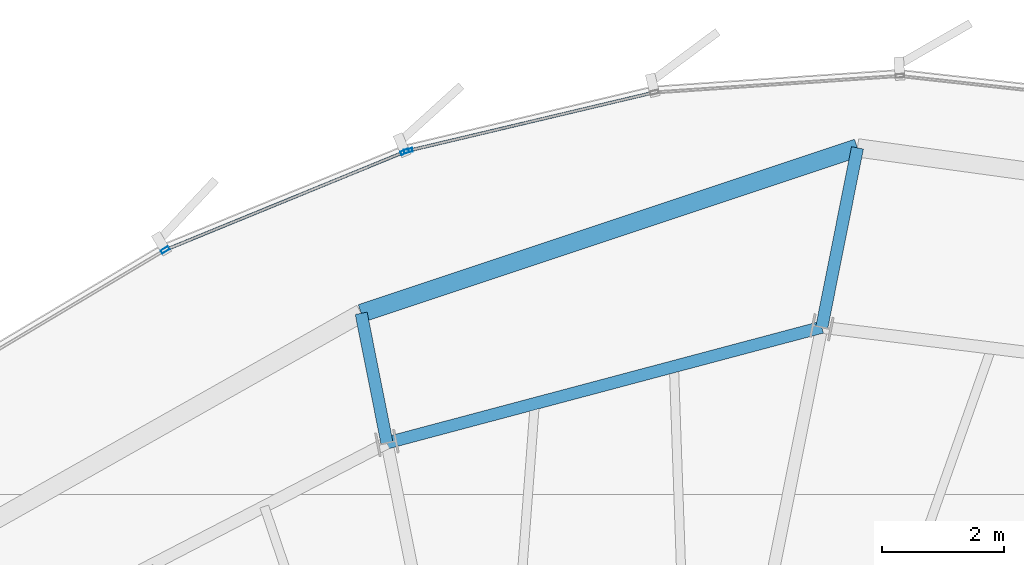
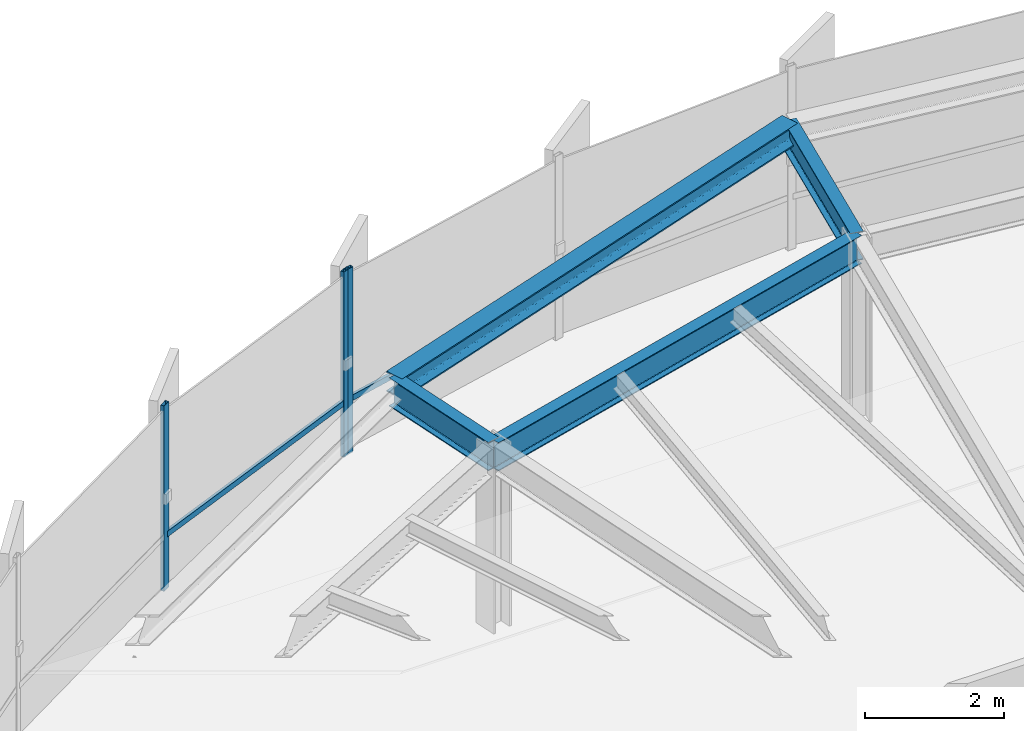
# One storey, part 22 of 34: 5 members, 4 beams, 2 elements without a shape of their own.
"""IFC4 building model written with IfcOpenShell, lengths in metres."""

import ifcopenshell
import ifcopenshell.guid

model = None  # the IFC model being written
_history = None  # IfcOwnerHistory: only IFC2X3 demands one
_inside = {}  # id of a spatial element -> (the spatial element, [elements in it])
_under = {}  # id of a project, library or spatial element -> (it, [spatial elements below it])
_declared = {}  # id of a project -> (the project, [libraries it declares])
_typed = {}  # id of a type object -> (the type object, [elements of that type])
_made_of = {}  # id of a material, layer set ... -> (it, [elements and type objects made of it])


def new_model(schema):
    """Start an empty IFC model of exactly this schema.

    Asked for "IFC4X3", IfcOpenShell would pick the latest addendum, in which some entities
    have other attributes; the version numbers below select the first issue.
    IFC2X3 requires an IfcOwnerHistory on every rooted entity: one is made here for all.
    """
    global model, _history
    if schema == "IFC4X3":
        model = ifcopenshell.file(schema_version=(4, 3, 0, 0))
    else:
        model = ifcopenshell.file(schema=schema)
    _inside.clear()
    _under.clear()
    _declared.clear()
    _typed.clear()
    _made_of.clear()
    _history = None
    if model.schema == "IFC2X3":
        org = make("IfcOrganization", Name="unknown")
        user = make(
            "IfcPersonAndOrganization",
            ThePerson=make("IfcPerson", FamilyName="unknown"),
            TheOrganization=org,
        )
        app = make(
            "IfcApplication",
            ApplicationDeveloper=org,
            Version="unknown",
            ApplicationFullName="unknown",
            ApplicationIdentifier="unknown",
        )
        _history = make(
            "IfcOwnerHistory",
            OwningUser=user,
            OwningApplication=app,
            ChangeAction="ADDED",
            CreationDate=0,
        )
    return model


def make(cls, **values):
    """One entity of the class cls with the attributes given. An attribute that is None is left unset."""
    return model.create_entity(
        cls, **{name: value for name, value in values.items() if value is not None}
    )


def rooted(cls, **values):
    """An entity with a GlobalId (a new one), such as an element, a storey or a relation."""
    return make(cls, GlobalId=ifcopenshell.guid.new(), OwnerHistory=_history, **values)


def si_unit(unit_type, name, prefix=None):
    """IfcSIUnit, for example si_unit("LENGTHUNIT", "METRE", prefix="MILLI")."""
    return make("IfcSIUnit", UnitType=unit_type, Prefix=prefix, Name=name)


def assignment(units):
    """IfcUnitAssignment: the units of a project."""
    return None if units is None else make("IfcUnitAssignment", Units=units)


def point(xyz):
    """IfcCartesianPoint."""
    return None if xyz is None else make("IfcCartesianPoint", Coordinates=xyz)


def direction(xyz):
    """IfcDirection."""
    return None if xyz is None else make("IfcDirection", DirectionRatios=xyz)


def frame(location, z_axis=None, x_axis=None):
    """IfcAxis2Placement3D, a coordinate frame: its origin and axes. An axis left out is left unset."""
    return make(
        "IfcAxis2Placement3D",
        Location=point(location),
        Axis=direction(z_axis),
        RefDirection=direction(x_axis),
    )


def frame_2d(location, x_axis=None):
    """IfcAxis2Placement2D, a coordinate frame in the plane: its origin and x axis."""
    return make(
        "IfcAxis2Placement2D", Location=point(location), RefDirection=direction(x_axis)
    )


def origin():
    """The frame at (0, 0, 0) with its axes left unset."""
    return frame((0.0, 0.0, 0.0))


def origin_2d():
    """The frame at (0, 0) in the plane with its x axis left unset."""
    return frame_2d((0.0, 0.0))


def place(relative_to, where):
    """IfcLocalPlacement: puts the frame where relative to a parent placement (None: the world)."""
    return make(
        "IfcLocalPlacement", PlacementRelTo=relative_to, RelativePlacement=where
    )


def context(
    kind, dimensions, precision=None, world=None, true_north=None, identifier=None
):
    """IfcGeometricRepresentationContext, for example the 3D "Model" context."""
    return make(
        "IfcGeometricRepresentationContext",
        ContextIdentifier=identifier,
        ContextType=kind,
        CoordinateSpaceDimension=dimensions,
        Precision=precision,
        WorldCoordinateSystem=world,
        TrueNorth=true_north,
    )


def subcontext(parent, identifier, kind, view, scale=None):
    """IfcGeometricRepresentationSubContext, for example "Body" below "Model"."""
    return make(
        "IfcGeometricRepresentationSubContext",
        ContextIdentifier=identifier,
        ContextType=kind,
        ParentContext=parent,
        TargetScale=scale,
        TargetView=view,
    )


def project(units=None, contexts=None):
    """IfcProject with its units and contexts."""
    return rooted(
        "IfcProject",
        Name="project",
        RepresentationContexts=contexts,
        UnitsInContext=assignment(units),
    )


def spatial(cls, under=None, at=None, **own):
    """A site, building, storey or space (cls), placed at a placement, below another one or the project."""
    s = rooted(cls, ObjectPlacement=at, **own)
    if under is not None:
        _under.setdefault(under.id(), (under, []))[1].append(s)
    return s


def profile(cls, at=None, kind="AREA", **sizes):
    """A parametric profile (cls). Its sizes go by their IFC names, for example OverallWidth=200.0."""
    return make(cls, ProfileType=kind, Position=at, **sizes)


def hollow_rectangle(**sizes):
    """IfcRectangleHollowProfileDef."""
    return profile("IfcRectangleHollowProfileDef", **sizes)


def i_section(**sizes):
    """IfcIShapeProfileDef."""
    return profile("IfcIShapeProfileDef", **sizes)


def extrude(swept, where, along, depth):
    """IfcExtrudedAreaSolid: the profile swept, set in the frame where, extruded along a direction by depth."""
    return make(
        "IfcExtrudedAreaSolid",
        SweptArea=swept,
        Position=where,
        ExtrudedDirection=direction(along),
        Depth=depth,
    )


def shape(context_of_items, identifier, shape_type, items):
    """IfcShapeRepresentation: the items that make up one representation, for example the "Body"."""
    return make(
        "IfcShapeRepresentation",
        ContextOfItems=context_of_items,
        RepresentationIdentifier=identifier,
        RepresentationType=shape_type,
        Items=items,
    )


def source(mapping_origin, context_of_items, identifier, shape_type, items):
    """IfcRepresentationMap: a shape defined once, which mapped items show again and again."""
    return make(
        "IfcRepresentationMap",
        MappingOrigin=mapping_origin,
        MappedRepresentation=shape(context_of_items, identifier, shape_type, items),
    )


def transform(
    local_origin,
    x_axis=None,
    y_axis=None,
    z_axis=None,
    scale=None,
    scale2=None,
    scale3=None,
    uniform=True,
):
    """IfcCartesianTransformationOperator3D, or its non-uniform kind. x_axis, y_axis, z_axis: its Axis1, 2, 3."""
    if uniform:
        return make(
            "IfcCartesianTransformationOperator3D",
            Axis1=direction(x_axis),
            Axis2=direction(y_axis),
            LocalOrigin=point(local_origin),
            Scale=scale,
            Axis3=direction(z_axis),
        )
    return make(
        "IfcCartesianTransformationOperator3DnonUniform",
        Axis1=direction(x_axis),
        Axis2=direction(y_axis),
        LocalOrigin=point(local_origin),
        Scale=scale,
        Axis3=direction(z_axis),
        Scale2=scale2,
        Scale3=scale3,
    )


def mapped(mapping_source, mapping_target):
    """IfcMappedItem: shows the shape of a source again, moved by a transform."""
    return make(
        "IfcMappedItem", MappingSource=mapping_source, MappingTarget=mapping_target
    )


def material(Name=None, Category=None):
    """IfcMaterial."""
    return make("IfcMaterial", Name=Name, Category=Category)


def layer(
    of_material, thickness, ventilated=None, Name=None, Category=None, Priority=None
):
    """IfcMaterialLayer: one layer of a wall or slab, of a material (None: an air gap)."""
    return make(
        "IfcMaterialLayer",
        Material=of_material,
        LayerThickness=thickness,
        IsVentilated=ventilated,
        Name=Name,
        Category=Category,
        Priority=Priority,
    )


def layer_set(layers, Name=None):
    """IfcMaterialLayerSet."""
    return make("IfcMaterialLayerSet", MaterialLayers=layers, LayerSetName=Name)


def material_profile(
    of_material, cross_section, Name=None, Category=None, Priority=None
):
    """IfcMaterialProfile: a cross section and its material."""
    return make(
        "IfcMaterialProfile",
        Name=Name,
        Material=of_material,
        Profile=cross_section,
        Priority=Priority,
        Category=Category,
    )


def profile_set(profiles, Name=None, composite=None):
    """IfcMaterialProfileSet."""
    return make(
        "IfcMaterialProfileSet",
        Name=Name,
        MaterialProfiles=profiles,
        CompositeProfile=composite,
    )


def made_of(thing, what):
    """Note that an element or type object is made of a material, layer set ...; save() writes the relation."""
    if what is not None:
        _made_of.setdefault(what.id(), (what, []))[1].append(thing)
    return thing


def type_object(cls, material=None, **own):
    """A type object (cls), such as IfcWallType, which elements share."""
    return made_of(rooted(cls, **own), material)


def element(
    cls,
    number,
    at=None,
    inside=None,
    cuts=None,
    type_object=None,
    material=None,
    context=None,
    identifier="Body",
    shape_type=None,
    held_by="IfcProductDefinitionShape",
    body=None,
    shapes=None,
    **own,
):
    """One element of the class cls, such as IfcWall. Its Tag is "e" and its number.

    at: its placement. inside: the storey or other place that contains it. cuts: it is an
    opening in that element (IfcRelVoidsElement). A single representation is given by context,
    identifier, shape_type and body (its items); several are given by shapes. held_by: the class
    of the entity that holds the representations. save() writes the other relations.
    """
    e = rooted(cls, Tag="e%d" % number, ObjectPlacement=at, **own)
    if body is not None:
        shapes = [shape(context, identifier, shape_type, body)]
    if shapes is not None:
        e.Representation = make(held_by, Representations=shapes)
    if inside is not None:
        _inside.setdefault(inside.id(), (inside, []))[1].append(e)
    if cuts is not None:
        rooted(
            "IfcRelVoidsElement", RelatingBuildingElement=cuts, RelatedOpeningElement=e
        )
    if type_object is not None:
        _typed.setdefault(type_object.id(), (type_object, []))[1].append(e)
    return made_of(e, material)


def aggregate(whole, parts):
    """IfcRelAggregates: a whole, such as a stair, and the parts it consists of."""
    return rooted("IfcRelAggregates", RelatingObject=whole, RelatedObjects=parts)


def save(model, path):
    """Write the relations noted so far, then the file.

    IfcRelAggregates (storeys below a building ...), IfcRelContainedInSpatialStructure (elements
    in a storey), IfcRelDefinesByType, IfcRelAssociatesMaterial and IfcRelDeclares: one each for
    every whole, place, type object, material and project.
    """
    for whole, parts in _under.values():
        aggregate(whole, parts)
    for where, things in _inside.values():
        rooted(
            "IfcRelContainedInSpatialStructure",
            RelatedElements=things,
            RelatingStructure=where,
        )
    for kind, things in _typed.values():
        rooted("IfcRelDefinesByType", RelatedObjects=things, RelatingType=kind)
    for what, things in _made_of.values():
        rooted("IfcRelAssociatesMaterial", RelatedObjects=things, RelatingMaterial=what)
    for by, libraries in _declared.values():
        rooted("IfcRelDeclares", RelatingContext=by, RelatedDefinitions=libraries)
    model.write(path)


model = new_model("IFC4")

# Units and contexts
model_context = context("Model", 3, precision=1e-05, world=origin(), true_north=direction((0.0, 1.0)))
body_context = subcontext(model_context, "Body", "Model", "MODEL_VIEW")
ifc_project = project(units=[si_unit("LENGTHUNIT", "METRE"), si_unit("AREAUNIT", "SQUARE_METRE"), si_unit("VOLUMEUNIT", "CUBIC_METRE"), si_unit("PLANEANGLEUNIT", "RADIAN"), si_unit("MASSUNIT", "GRAM", prefix="KILO"), si_unit("THERMODYNAMICTEMPERATUREUNIT", "KELVIN")], contexts=[model_context])

# Site, building, storey
site_placement = place(None, origin())
site = spatial("IfcSite", under=ifc_project, at=site_placement, CompositionType="ELEMENT")
building_placement = place(site_placement, origin())
building = spatial("IfcBuilding", under=site, at=building_placement, Name="Kethvar Cultural Tower", CompositionType="ELEMENT")
storey_placement = place(building_placement, frame((0.0, 0.0, 207.89990234375)))
storey = spatial("IfcBuildingStorey", under=building, at=storey_placement, Name="L54", CompositionType="ELEMENT", Elevation=207.89990234375)

# Beams
ifc_material_1 = material(Name="Steel S355J2", Category="steel")
ifc_material_profile_1 = material_profile(ifc_material_1, i_section(OverallWidth=0.199951171875, OverallDepth=0.5, WebThickness=0.01025390625, FlangeThickness=0.01611328125, FilletRadius=0.02099609375, at=origin_2d()), Name="Steel S355J2 — IPE500")
ifc_profile_set_1 = profile_set([ifc_material_profile_1], Name="Steel S355J2 — IPE500")
beam_type_1 = type_object("IfcBeamType", Name="BM-IPE500", PredefinedType="BEAM", material=ifc_profile_set_1)
shared_shape_1 = source(origin(), body_context, "Body", "SweptSolid", [
    extrude(i_section(OverallWidth=0.199951171875, OverallDepth=0.5, WebThickness=0.01025390625, FlangeThickness=0.01611328125, FilletRadius=0.02099609375, at=origin_2d()), origin(), (0.0, 0.0, 1.0), 7.38427734375),
])
beam_1_placement = place(storey_placement, frame((50.556884765625, 46.6875, 3.008056640625), z_axis=(-0.966396628298, -0.257055552002, 0.0), x_axis=(0.257055552002, -0.966396628298, 0.0)))
element("IfcBeam", 1, at=beam_1_placement, inside=storey, type_object=beam_type_1, Name="L54 Column Ring Tie Beam CR-04", PredefinedType="BEAM", context=body_context, shape_type="MappedRepresentation", body=[
    mapped(shared_shape_1, transform((0.0, 0.0, 0.0), scale=1.0)),
])
shared_shape_2 = source(origin(), body_context, "Body", "SweptSolid", [
    extrude(i_section(OverallWidth=0.199951171875, OverallDepth=0.5, WebThickness=0.01025390625, FlangeThickness=0.01611328125, FilletRadius=0.02099609375, at=origin_2d()), origin(), (0.0, 0.0, 1.0), 3.001220703125),
])
beam_2_placement = place(storey_placement, frame((50.556884765625, 46.6875, 3.008056640625), z_axis=(0.1950679101, 0.980789738144, 0.0), x_axis=(-0.980789738144, 0.1950679101, 0.0)))
element("IfcBeam", 2, at=beam_2_placement, inside=storey, type_object=beam_type_1, Name="L54 Perimeter Cantilever Beam RC-04", PredefinedType="BEAM", context=body_context, shape_type="MappedRepresentation", body=[
    mapped(shared_shape_2, transform((0.0, 0.0, 0.0), scale=1.0)),
])
shared_shape_3 = source(origin(), body_context, "Body", "SweptSolid", [
    extrude(i_section(OverallWidth=0.199951171875, OverallDepth=0.5, WebThickness=0.01025390625, FlangeThickness=0.01611328125, FilletRadius=0.02099609375, at=origin_2d()), origin(), (0.0, 0.0, 1.0), 2.1689453125),
])
beam_3_placement = place(storey_placement, frame((43.420654296875, 44.789306640625, 3.008056640625), z_axis=(-0.19507695386, 0.9807879394, 0.0), x_axis=(-0.9807879394, -0.19507695386, 0.0)))
element("IfcBeam", 3, at=beam_3_placement, inside=storey, type_object=beam_type_1, Name="L54 Perimeter Cantilever Beam RC-05", PredefinedType="BEAM", context=body_context, shape_type="MappedRepresentation", body=[
    mapped(shared_shape_3, transform((0.0, 0.0, 0.0), scale=1.0)),
])
ifc_material_profile_2 = material_profile(ifc_material_1, i_section(OverallWidth=0.300048828125, OverallDepth=0.360107421875, WebThickness=0.012451171875, FlangeThickness=0.0224609375, FilletRadius=0.027099609375, at=origin_2d()), Name="Steel S355J2 — HEB360")
ifc_profile_set_2 = profile_set([ifc_material_profile_2], Name="Steel S355J2 — HEB360")
beam_type_2 = type_object("IfcBeamType", Name="BM-SP360", PredefinedType="SPANDREL", material=ifc_profile_set_2)
shared_shape_4 = source(origin(), body_context, "Body", "SweptSolid", [
    extrude(i_section(OverallWidth=0.300048828125, OverallDepth=0.360107421875, WebThickness=0.012451171875, FlangeThickness=0.0224609375, FilletRadius=0.027099609375, at=origin_2d()), origin(), (0.0, 0.0, 1.0), 8.585205078125),
])
beam_4_placement = place(storey_placement, frame((51.142333984375, 49.631103515625, 3.078125), z_axis=(-0.948694672332, -0.316193641128, 0.0), x_axis=(0.316193641128, -0.948694672332, 0.0)))
element("IfcBeam", 4, at=beam_4_placement, inside=storey, type_object=beam_type_2, Name="L54 Perimeter Spandrel Beam SP-04", PredefinedType="SPANDREL", context=body_context, shape_type="MappedRepresentation", body=[
    mapped(shared_shape_4, transform((0.0, 0.0, 0.0), scale=1.0)),
])

# Curtain wall, member
ifc_material_2 = material(Name="Aluminium 6063-T6", Category="aluminium")
ifc_layer = layer(ifc_material_2, 0.179931640625, Name="Aluminium 6063-T6", Category="aluminium")
ifc_layer_set = layer_set([ifc_layer], Name="Aluminium 6063-T6 (180 mm)")
curtain_wall_type = type_object("IfcCurtainWallType", Name="CW-SYS-04-Z34", PredefinedType="NOTDEFINED", material=ifc_layer_set)
curtain_wall_1_placement = place(storey_placement, origin())
curtain_wall_1 = element("IfcCurtainWall", 5, at=curtain_wall_1_placement, inside=storey, type_object=curtain_wall_type, Name="L54 Curtain Wall Run 01", PredefinedType="NOTDEFINED")
ifc_material_profile_3 = material_profile(ifc_material_2, hollow_rectangle(XDim=0.06005859375, YDim=0.139892578125, WallThickness=0.0048828125, at=origin_2d()), Name="Aluminium 6063-T6 — RHS140x60x5")
ifc_profile_set_3 = profile_set([ifc_material_profile_3], Name="Aluminium 6063-T6 — RHS140x60x5")
member_type_1 = type_object("IfcMemberType", Name="CW-SYS-04-Z34-MUL", PredefinedType="MULLION", material=ifc_profile_set_3)
shared_shape_5 = source(origin(), body_context, "Body", "SweptSolid", [
    extrude(hollow_rectangle(XDim=0.06005859375, YDim=0.139892578125, WallThickness=0.0048828125, at=origin_2d()), origin(), (0.0, 0.0, 1.0), 3.260009765625),
])
member_1_placement = place(storey_placement, frame((43.77099609375, 49.58447265625, 0.0), z_axis=(0.0, 0.0, 1.0), x_axis=(0.230780034881, -0.973005948337, 0.0)))
member_1 = element("IfcMember", 6, at=member_1_placement, type_object=member_type_1, Name="CW-L54-R01 Mullion 7", PredefinedType="MULLION", context=body_context, shape_type="MappedRepresentation", body=[
    mapped(shared_shape_5, transform((0.0, 0.0, 0.0), scale=1.0)),
])

# Curtain wall, members
curtain_wall_2_placement = place(storey_placement, origin())
curtain_wall_2 = element("IfcCurtainWall", 7, at=curtain_wall_2_placement, inside=storey, type_object=curtain_wall_type, Name="L54 Curtain Wall Run 02", PredefinedType="NOTDEFINED")
member_2_placement = place(storey_placement, frame((43.713134765625, 49.56591796875, 0.0), z_axis=(0.0, 0.0, 1.0), x_axis=(0.379117026976, -0.925348734184, 0.0)))
member_2 = element("IfcMember", 8, at=member_2_placement, type_object=member_type_1, Name="CW-L54-R02 Mullion 1", PredefinedType="MULLION", context=body_context, shape_type="MappedRepresentation", body=[
    mapped(shared_shape_5, transform((0.0, 0.0, 0.0), scale=1.0)),
])
member_3_placement = place(storey_placement, frame((39.78076171875, 47.9560546875, 0.0), z_axis=(0.0, 0.0, 1.0), x_axis=(0.512222753779, -0.858852636086, 0.0)))
member_3 = element("IfcMember", 9, at=member_3_placement, type_object=member_type_1, Name="CW-L54-R02 Mullion 2", PredefinedType="MULLION", context=body_context, shape_type="MappedRepresentation", body=[
    mapped(shared_shape_5, transform((0.0, 0.0, 0.0), scale=1.0)),
])

# Member
ifc_material_profile_4 = material_profile(ifc_material_2, hollow_rectangle(XDim=0.050048828125, YDim=0.10009765625, WallThickness=0.00390625, at=origin_2d()), Name="Aluminium 6063-T6 — RHS100x50x4")
ifc_profile_set_4 = profile_set([ifc_material_profile_4], Name="Aluminium 6063-T6 — RHS100x50x4")
member_type_2 = type_object("IfcMemberType", Name="CW-SYS-04-Z34-TRN", PredefinedType="USERDEFINED", material=ifc_profile_set_4)
shared_shape_6 = source(origin(), body_context, "Body", "SweptSolid", [
    extrude(hollow_rectangle(XDim=0.050048828125, YDim=0.10009765625, WallThickness=0.00390625, at=origin_2d()), origin(), (0.0, 0.0, 1.0), 4.10400390625),
])
member_4_placement = place(storey_placement, frame((47.76806640625, 50.532470703125, 0.9501953125), z_axis=(-0.972997369508, -0.23081620162, 0.0), x_axis=(0.23081620162, -0.972997369508, 0.0)))
member_4 = element("IfcMember", 10, at=member_4_placement, type_object=member_type_2, Name="CW-L54-R01 Transom 6", ObjectType="TRANSOM", PredefinedType="USERDEFINED", context=body_context, shape_type="MappedRepresentation", body=[
    mapped(shared_shape_6, transform((0.0, 0.0, 0.0), scale=1.0)),
])

aggregate(curtain_wall_1, [member_1, member_4])

shared_shape_7 = source(origin(), body_context, "Body", "SweptSolid", [
    extrude(hollow_rectangle(XDim=0.050048828125, YDim=0.10009765625, WallThickness=0.00390625, at=origin_2d()), origin(), (0.0, 0.0, 1.0), 4.218017578125),
])
member_5_placement = place(storey_placement, frame((43.709228515625, 49.564208984375, 0.9501953125), z_axis=(-0.925346752681, -0.379121863393, 0.0), x_axis=(0.379121863393, -0.925346752681, 0.0)))
member_5 = element("IfcMember", 11, at=member_5_placement, type_object=member_type_2, Name="CW-L54-R02 Transom 1", ObjectType="TRANSOM", PredefinedType="USERDEFINED", context=body_context, shape_type="MappedRepresentation", body=[
    mapped(shared_shape_7, transform((0.0, 0.0, 0.0), scale=1.0)),
])

aggregate(curtain_wall_2, [member_2, member_3, member_5])

save(model, "model.ifc")
